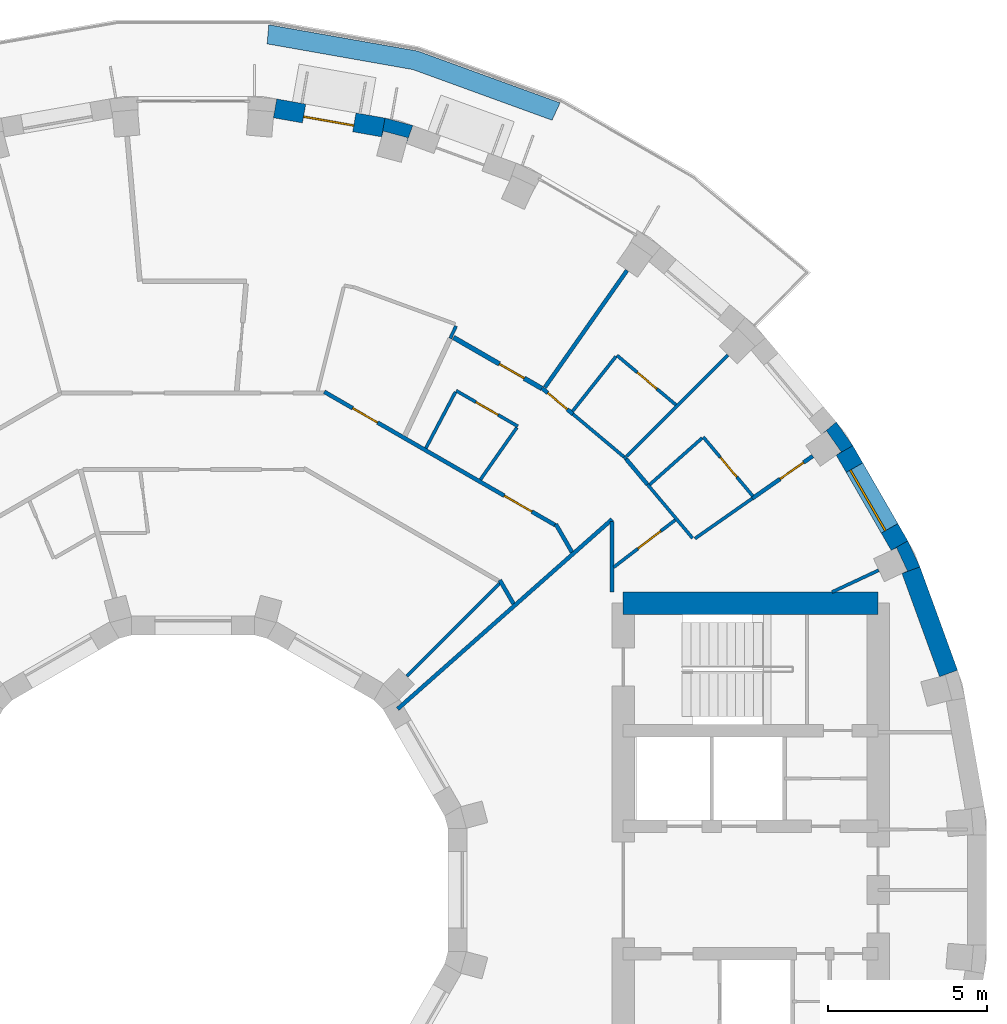
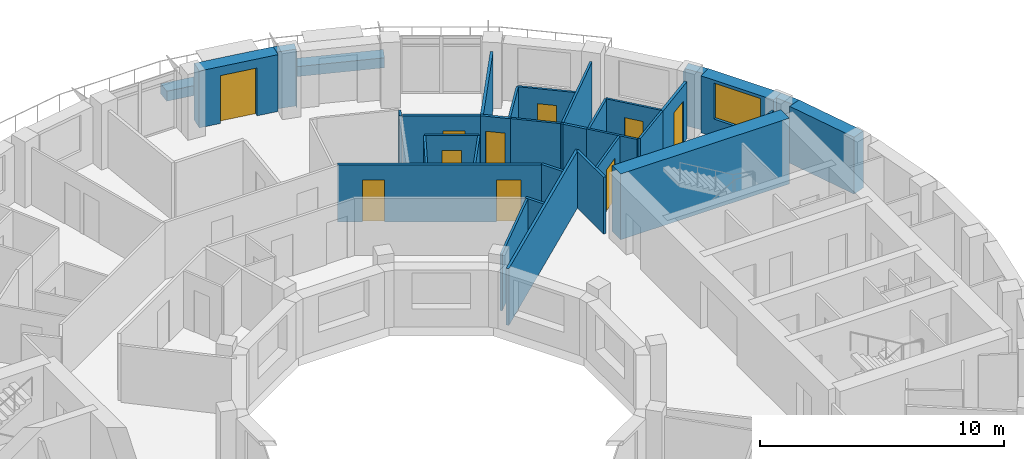
# One storey, part 11 of 13: 34 walls, 10 doors, 1 window, 11 openings.
"""IFC4 building model written with IfcOpenShell, lengths in metres."""

from ifc_helpers import new_model, si_unit, direction, frame, frame_2d, origin, place, context, subcontext, project, spatial, polyline, rectangle, outline, extrude, material, layer, layer_set, type_object, element, fill, save


model = new_model("IFC4")

# Units and contexts
model_context = context("Model", 3, precision=1e-05, world=origin(), true_north=direction((0.0, 1.0)))
body_context = subcontext(model_context, "Body", "Model", "MODEL_VIEW")
ifc_project = project(units=[si_unit("LENGTHUNIT", "METRE"), si_unit("AREAUNIT", "SQUARE_METRE"), si_unit("VOLUMEUNIT", "CUBIC_METRE"), si_unit("PLANEANGLEUNIT", "RADIAN"), si_unit("MASSUNIT", "GRAM", prefix="KILO")], contexts=[model_context])

# Site, building, storey
site_placement = place(None, origin())
site = spatial("IfcSite", under=ifc_project, at=site_placement, CompositionType="ELEMENT")
building_placement = place(site_placement, origin())
building = spatial("IfcBuilding", under=site, at=building_placement, Name="Saqina Gate Tower", CompositionType="ELEMENT")
storey_placement = place(building_placement, frame((0.0, 0.0, 203.699951171875)))
storey = spatial("IfcBuildingStorey", under=building, at=storey_placement, Name="L58", CompositionType="ELEMENT", Elevation=203.699951171875)

# Walls
ifc_material_1 = material(Name="Brick masonry (buff)", Category="masonry")
wall_type_1 = type_object("IfcWallType", Name="BRICK PIER COPING BUFF", PredefinedType="SOLIDWALL", material=ifc_material_1)
wall_1_placement = place(storey_placement, origin())
element("IfcWall", 1, at=wall_1_placement, inside=storey, type_object=wall_type_1, Name="Pier cap L58 column 3", PredefinedType="SOLIDWALL", context=body_context, shape_type="SweptSolid", body=[
    extrude(outline(polyline([(22.4306640625, 10.958740234375), (21.9111328125, 10.65869140625), (22.080810546875, 10.73779296875), (22.4189453125, 10.0126953125), (22.249267578125, 9.93359375), (22.81298828125, 10.138916015625), (22.4306640625, 10.958740234375)])), origin(), (0.0, 0.0, 1.0), 2.85009765625),
])
wall_2_placement = place(storey_placement, origin())
element("IfcWall", 2, at=wall_2_placement, inside=storey, type_object=wall_type_1, Name="Pier cap L58 column 4", PredefinedType="SOLIDWALL", context=body_context, shape_type="SweptSolid", body=[
    extrude(outline(polyline([(20.705810546875, 13.9462890625), (20.18701171875, 14.687255859375), (19.727294921875, 14.301513671875), (19.880859375, 14.408935546875), (20.339599609375, 13.753662109375), (20.186279296875, 13.646240234375), (20.705810546875, 13.9462890625)])), origin(), (0.0, 0.0, 1.0), 2.85009765625),
])
wall_3_placement = place(storey_placement, origin())
element("IfcWall", 3, at=wall_3_placement, inside=storey, type_object=wall_type_1, Name="Pier cap L58 column 8", PredefinedType="SOLIDWALL", context=body_context, shape_type="SweptSolid", body=[
    extrude(outline(polyline([(6.0234375, 24.22705078125), (5.919189453125, 23.635986328125), (5.967529296875, 23.81689453125), (6.740478515625, 23.610107421875), (6.69189453125, 23.428955078125), (6.897216796875, 23.992919921875), (6.0234375, 24.22705078125)])), origin(), (0.0, 0.0, 1.0), 2.85009765625),
])

# Wall, opening, window
ifc_material_2 = material(Name="Brick masonry (buff)", Category="masonry")
ifc_layer_1 = layer(ifc_material_2, 0.60009765625)
ifc_layer_set_1 = layer_set([ifc_layer_1], Name="FW-BRICK-BUFF")
wall_type_2 = type_object("IfcWallType", Name="FW-BRICK-BUFF", PredefinedType="SOLIDWALL", material=ifc_layer_set_1)
wall_4_placement = place(storey_placement, frame((22.1708984375, 10.80859375, 0.0), z_axis=(0.0, 0.0, 1.0), x_axis=(-0.499998129301, 0.86602648383, 0.0)))
wall_4 = element("IfcWall", 4, at=wall_4_placement, inside=storey, type_object=wall_type_2, Name="Facade wall L58 facet 3", PredefinedType="SOLIDWALL", context=body_context, shape_type="SweptSolid", body=[
    extrude(rectangle(XDim=3.44970703125, YDim=0.60009765625, at=frame_2d((1.724853515625, 0.0))), origin(), (0.0, 0.0, 1.0), 2.85009765625),
])
opening_1_placement = place(wall_4_placement, frame((0.625, 0.0, 0.89990234375)))
opening_1 = element("IfcOpeningElement", 5, at=opening_1_placement, cuts=wall_4, Name="Opening G17-W01", PredefinedType="OPENING", context=body_context, shape_type="SweptSolid", body=[
    extrude(rectangle(XDim=2.199951171875, YDim=1.800048828125, at=frame_2d((1.10009765625, 0.89990234375))), frame((0.0, 0.31201171875, 0.0), z_axis=(0.0, -1.0, 0.0), x_axis=(1.0, 0.0, 0.0)), (0.0, 0.0, 1.0), 0.6240234375),
])
ifc_material_3 = material(Name="Aluminium glazing", Category="aluminium")
window_type = type_object("IfcWindowType", Name="WN-C", PartitioningType="SINGLE_PANEL", PredefinedType="WINDOW", material=ifc_material_3)
window_placement = place(opening_1_placement, origin())
window = element("IfcWindow", 6, at=window_placement, inside=storey, type_object=window_type, Name="Window L58 facet 3", OverallHeight=1.800048828125, OverallWidth=2.199951171875, PartitioningType="SINGLE_PANEL", PredefinedType="WINDOW", context=body_context, shape_type="SweptSolid", body=[
    extrude(rectangle(XDim=2.199951171875, YDim=1.800048828125, at=frame_2d((1.10009765625, 0.89990234375))), frame((0.0, 0.179931640625, 0.0), z_axis=(0.0, -1.0, 0.0), x_axis=(1.0, 0.0, 0.0)), (0.0, 0.0, 1.0), 0.06005859375),
])
fill(opening_1, window)

# Wall, opening, door
wall_5_placement = place(storey_placement, frame((5.97119140625, 23.931640625, 0.0), z_axis=(0.0, 0.0, 1.0), x_axis=(-0.984814892183, 0.173607684551, 0.0)))
wall_5 = element("IfcWall", 7, at=wall_5_placement, inside=storey, type_object=wall_type_2, Name="Facade wall L58 facet 8", PredefinedType="SOLIDWALL", context=body_context, shape_type="SweptSolid", body=[
    extrude(rectangle(XDim=3.44970703125, YDim=0.60009765625, at=frame_2d((1.724853515625, 0.0))), origin(), (0.0, 0.0, 1.0), 2.85009765625),
])
opening_2_placement = place(wall_5_placement, frame((0.9248046875, 0.0, 0.0)))
opening_2 = element("IfcOpeningElement", 8, at=opening_2_placement, cuts=wall_5, Name="Opening G17-D81", PredefinedType="OPENING", context=body_context, shape_type="SweptSolid", body=[
    extrude(rectangle(XDim=1.60009765625, YDim=2.39990234375, at=frame_2d((0.800048828125, 1.199951171875))), frame((0.0, 0.31201171875, 0.0), z_axis=(0.0, -1.0, 0.0), x_axis=(1.0, 0.0, 0.0)), (0.0, 0.0, 1.0), 0.6240234375),
])
ifc_material_4 = material(Name="Aluminium glazing", Category="aluminium")
door_type_1 = type_object("IfcDoorType", Name="GD-C", OperationType="DOUBLE_DOOR_SINGLE_SWING", PredefinedType="DOOR", material=ifc_material_4)
door_1_placement = place(opening_2_placement, origin())
door_1 = element("IfcDoor", 9, at=door_1_placement, inside=storey, type_object=door_type_1, Name="Terrace door L58 facet 8", OperationType="DOUBLE_DOOR_SINGLE_SWING", OverallHeight=2.39990234375, OverallWidth=1.60009765625, PredefinedType="DOOR", context=body_context, shape_type="SweptSolid", body=[
    extrude(rectangle(XDim=1.60009765625, YDim=2.39990234375, at=frame_2d((0.800048828125, 1.199951171875))), frame((0.0, 0.125, 0.0), z_axis=(0.0, -1.0, 0.0), x_axis=(1.0, 0.0, 0.0)), (0.0, 0.0, 1.0), 0.050048828125),
])
fill(opening_2, door_1)

# Walls
ifc_material_5 = material(Name="Glazed ceramic tile (white)", Category="ceramic")
ifc_layer_2 = layer(ifc_material_5, 0.60009765625)
ifc_layer_set_2 = layer_set([ifc_layer_2], Name="FW-TILE-WH")
wall_type_3 = type_object("IfcWallType", Name="FW-TILE-WH", PredefinedType="SOLIDWALL", material=ifc_layer_set_2)
wall_6_placement = place(storey_placement, frame((23.7109375, 6.79443359375, 0.0), z_axis=(0.0, 0.0, 1.0), x_axis=(-0.342032843455, 0.93968799822, 0.0)))
element("IfcWall", 10, at=wall_6_placement, inside=storey, type_object=wall_type_3, Name="Facade wall L58 facet 2", PredefinedType="SOLIDWALL", context=body_context, shape_type="SweptSolid", body=[
    extrude(rectangle(XDim=3.44970703125, YDim=0.60009765625, at=frame_2d((1.724853515625, 0.0))), origin(), (0.0, 0.0, 1.0), 2.85009765625),
])
ifc_material_6 = material(Name="Gypsum board on steel studs, 100 mm", Category="steel")
ifc_layer_3 = layer(ifc_material_6, 0.10009765625)
ifc_layer_set_3 = layer_set([ifc_layer_3], Name="PARTITION 100")
wall_type_4 = type_object("IfcWallType", Name="PARTITION 100", PredefinedType="PARTITIONING", material=ifc_layer_set_3)
wall_7_placement = place(storey_placement, frame((13.5283203125, 13.599853515625, 0.0), z_axis=(0.0, 0.0, 1.0), x_axis=(0.643986628051, -0.765036746106, 0.0)))
element("IfcWall", 11, at=wall_7_placement, inside=storey, type_object=wall_type_4, Name="PARTITION PW3-17", PredefinedType="PARTITIONING", context=body_context, shape_type="SweptSolid", body=[
    extrude(rectangle(XDim=0.100830078125, YDim=0.10009765625, at=frame_2d((0.05029296875, 0.0))), origin(), (0.0, 0.0, 1.0), 2.85009765625),
])
wall_8_placement = place(storey_placement, frame((14.26123046875, 12.7275390625, 0.0), z_axis=(0.0, 0.0, 1.0), x_axis=(0.643254486379, -0.76565244449, 0.0)))
element("IfcWall", 12, at=wall_8_placement, inside=storey, type_object=wall_type_4, Name="PARTITION PW3-18", PredefinedType="PARTITIONING", context=body_context, shape_type="SweptSolid", body=[
    extrude(rectangle(XDim=2.2021484375, YDim=0.10009765625, at=frame_2d((1.10107421875, 0.0))), origin(), (0.0, 0.0, 1.0), 2.85009765625),
])

# Wall, opening, door
wall_9_placement = place(storey_placement, frame((16.012939453125, 14.216064453125, 0.0), z_axis=(0.0, 0.0, 1.0), x_axis=(0.642879705086, -0.765967156468, 0.0)))
wall_9 = element("IfcWall", 13, at=wall_9_placement, inside=storey, type_object=wall_type_4, Name="PARTITION PW3-19", PredefinedType="PARTITIONING", context=body_context, shape_type="SweptSolid", body=[
    extrude(rectangle(XDim=2.419921875, YDim=0.10009765625, at=frame_2d((1.2099609375, 0.0))), origin(), (0.0, 0.0, 1.0), 2.85009765625),
])
opening_3_placement = place(wall_9_placement, frame((0.835205078125, 0.0, 0.0)))
opening_3 = element("IfcOpeningElement", 14, at=opening_3_placement, cuts=wall_9, Name="Opening G17-D03", PredefinedType="OPENING", context=body_context, shape_type="SweptSolid", body=[
    extrude(rectangle(XDim=0.800048828125, YDim=2.10009765625, at=frame_2d((0.39990234375, 1.050048828125))), frame((0.0, 0.06201171875, 0.0), z_axis=(0.0, -1.0, 0.0), x_axis=(1.0, 0.0, 0.0)), (0.0, 0.0, 1.0), 0.1240234375),
])
ifc_material_7 = material(Name="Timber door leaf, 800 mm", Category="wood")
door_type_2 = type_object("IfcDoorType", Name="DOOR 800 TIMBER", OperationType="SINGLE_SWING_LEFT", PredefinedType="DOOR", material=ifc_material_7)
door_2_placement = place(opening_3_placement, origin())
door_2 = element("IfcDoor", 15, at=door_2_placement, inside=storey, type_object=door_type_2, Name="DOOR G17-D03", OperationType="SINGLE_SWING_RIGHT", OverallHeight=2.10009765625, OverallWidth=0.800048828125, PredefinedType="DOOR", context=body_context, shape_type="SweptSolid", body=[
    extrude(rectangle(XDim=0.800048828125, YDim=2.10009765625, at=frame_2d((0.39990234375, 1.050048828125))), frame((0.0, 0.02490234375, 0.0), z_axis=(0.0, -1.0, 0.0), x_axis=(1.0, 0.0, 0.0)), (0.0, 0.0, 1.0), 0.050048828125),
])
fill(opening_3, door_2)

# Wall
wall_10_placement = place(storey_placement, frame((11.919921875, 14.93798828125, 0.0), z_axis=(0.0, 0.0, 1.0), x_axis=(0.766132236748, -0.6426829668, 0.0)))
element("IfcWall", 16, at=wall_10_placement, inside=storey, type_object=wall_type_4, Name="PARTITION PW3-24", PredefinedType="PARTITIONING", context=body_context, shape_type="SweptSolid", body=[
    extrude(rectangle(XDim=2.09228515625, YDim=0.10009765625, at=frame_2d((1.046142578125, 0.0))), origin(), (0.0, 0.0, 1.0), 2.85009765625),
])

# Wall, opening, door
wall_11_placement = place(storey_placement, frame((13.301025390625, 16.781005859375, 0.0), z_axis=(0.0, 0.0, 1.0), x_axis=(0.765959173968, -0.642889215817, 0.0)))
wall_11 = element("IfcWall", 17, at=wall_11_placement, inside=storey, type_object=wall_type_4, Name="PARTITION PW3-25", PredefinedType="PARTITIONING", context=body_context, shape_type="SweptSolid", body=[
    extrude(rectangle(XDim=2.420166015625, YDim=0.10009765625, at=frame_2d((1.2099609375, 0.0))), origin(), (0.0, 0.0, 1.0), 2.85009765625),
])
opening_4_placement = place(wall_11_placement, frame((0.835205078125, 0.0, 0.0)))
opening_4 = element("IfcOpeningElement", 18, at=opening_4_placement, cuts=wall_11, Name="Opening G17-D04", PredefinedType="OPENING", context=body_context, shape_type="SweptSolid", body=[
    extrude(rectangle(XDim=0.800048828125, YDim=2.10009765625, at=frame_2d((0.39990234375, 1.050048828125))), frame((0.0, 0.06201171875, 0.0), z_axis=(0.0, -1.0, 0.0), x_axis=(1.0, 0.0, 0.0)), (0.0, 0.0, 1.0), 0.1240234375),
])
door_3_placement = place(opening_4_placement, origin())
door_3 = element("IfcDoor", 19, at=door_3_placement, inside=storey, type_object=door_type_2, Name="DOOR G17-D04", OperationType="SINGLE_SWING_RIGHT", OverallHeight=2.10009765625, OverallWidth=0.800048828125, PredefinedType="DOOR", context=body_context, shape_type="SweptSolid", body=[
    extrude(rectangle(XDim=0.800048828125, YDim=2.10009765625, at=frame_2d((0.39990234375, 1.050048828125))), frame((0.0, 0.02490234375, 0.0), z_axis=(0.0, -1.0, 0.0), x_axis=(1.0, 0.0, 0.0)), (0.0, 0.0, 1.0), 0.050048828125),
])
fill(opening_4, door_3)

wall_12_placement = place(storey_placement, frame((8.257080078125, 15.6708984375, 0.0), z_axis=(0.0, 0.0, 1.0), x_axis=(0.86593977979, -0.500148275791, 0.0)))
wall_12 = element("IfcWall", 20, at=wall_12_placement, inside=storey, type_object=wall_type_4, Name="PARTITION PW3-29", PredefinedType="PARTITIONING", context=body_context, shape_type="SweptSolid", body=[
    extrude(rectangle(XDim=2.233154296875, YDim=0.10009765625, at=frame_2d((1.11669921875, 0.0))), origin(), (0.0, 0.0, 1.0), 2.85009765625),
])
opening_5_placement = place(wall_12_placement, frame((0.716796875, 0.0, 0.0)))
opening_5 = element("IfcOpeningElement", 21, at=opening_5_placement, cuts=wall_12, Name="Opening G17-D08", PredefinedType="OPENING", context=body_context, shape_type="SweptSolid", body=[
    extrude(rectangle(XDim=0.800048828125, YDim=2.10009765625, at=frame_2d((0.39990234375, 1.050048828125))), frame((0.0, 0.06201171875, 0.0), z_axis=(0.0, -1.0, 0.0), x_axis=(1.0, 0.0, 0.0)), (0.0, 0.0, 1.0), 0.1240234375),
])
door_4_placement = place(opening_5_placement, origin())
door_4 = element("IfcDoor", 22, at=door_4_placement, inside=storey, type_object=door_type_2, Name="DOOR G17-D08", OperationType="SINGLE_SWING_RIGHT", OverallHeight=2.10009765625, OverallWidth=0.800048828125, PredefinedType="DOOR", context=body_context, shape_type="SweptSolid", body=[
    extrude(rectangle(XDim=0.800048828125, YDim=2.10009765625, at=frame_2d((0.39990234375, 1.050048828125))), frame((0.0, 0.02490234375, 0.0), z_axis=(0.0, -1.0, 0.0), x_axis=(1.0, 0.0, 0.0)), (0.0, 0.0, 1.0), 0.050048828125),
])
fill(opening_5, door_4)

# Walls
wall_13_placement = place(storey_placement, frame((20.052978515625, 9.35009765625, 0.0), z_axis=(0.0, 0.0, 1.0), x_axis=(0.906055596822, 0.423158664648, 0.0)))
element("IfcWall", 23, at=wall_13_placement, inside=storey, type_object=wall_type_4, Name="PARTITION PW3-41", PredefinedType="PARTITIONING", context=body_context, shape_type="SweptSolid", body=[
    extrude(rectangle(XDim=1.6142578125, YDim=0.10009765625, at=frame_2d((0.80712890625, 0.0))), origin(), (0.0, 0.0, 1.0), 2.85009765625),
])
wall_14_placement = place(storey_placement, frame((15.7509765625, 11.028564453125, 0.0), z_axis=(0.0, 0.0, 1.0), x_axis=(0.819158790137, 0.573566802161, 0.0)))
element("IfcWall", 24, at=wall_14_placement, inside=storey, type_object=wall_type_4, Name="PARTITION PW3-47", PredefinedType="PARTITIONING", context=body_context, shape_type="SweptSolid", body=[
    extrude(rectangle(XDim=2.196044921875, YDim=0.10009765625, at=frame_2d((1.09814453125, 0.0))), origin(), (0.0, 0.0, 1.0), 2.85009765625),
])

# Wall, opening, door
wall_15_placement = place(storey_placement, frame((13.200439453125, 10.12890625, 0.0), z_axis=(0.0, 0.0, 1.0), x_axis=(0.793343125349, 0.608774741149, 0.0)))
wall_15 = element("IfcWall", 25, at=wall_15_placement, inside=storey, type_object=wall_type_4, Name="PARTITION PW3-48", PredefinedType="PARTITIONING", context=body_context, shape_type="SweptSolid", body=[
    extrude(rectangle(XDim=2.433837890625, YDim=0.10009765625, at=frame_2d((1.216796875, 0.0))), origin(), (0.0, 0.0, 1.0), 2.85009765625),
])
opening_6_placement = place(wall_15_placement, frame((0.960693359375, 0.0, 0.0)))
opening_6 = element("IfcOpeningElement", 26, at=opening_6_placement, cuts=wall_15, Name="Opening G17-D02", PredefinedType="OPENING", context=body_context, shape_type="SweptSolid", body=[
    extrude(rectangle(XDim=0.89990234375, YDim=2.10009765625, at=frame_2d((0.449951171875, 1.050048828125))), frame((0.0, 0.06201171875, 0.0), z_axis=(0.0, -1.0, 0.0), x_axis=(1.0, 0.0, 0.0)), (0.0, 0.0, 1.0), 0.1240234375),
])
ifc_material_8 = material(Name="Timber door leaf, 900 mm", Category="wood")
door_type_3 = type_object("IfcDoorType", Name="DOOR 900 TIMBER", OperationType="SINGLE_SWING_LEFT", PredefinedType="DOOR", material=ifc_material_8)
door_5_placement = place(opening_6_placement, frame((0.89990234375, 0.0, 0.0), z_axis=(0.0, 0.0, 1.0), x_axis=(-1.0, 0.0, 0.0)))
door_5 = element("IfcDoor", 27, at=door_5_placement, inside=storey, type_object=door_type_3, Name="DOOR G17-D02", OperationType="SINGLE_SWING_LEFT", OverallHeight=2.10009765625, OverallWidth=0.89990234375, PredefinedType="DOOR", context=body_context, shape_type="SweptSolid", body=[
    extrude(rectangle(XDim=0.89990234375, YDim=2.10009765625, at=frame_2d((0.449951171875, 1.050048828125))), frame((0.0, 0.02490234375, 0.0), z_axis=(0.0, -1.0, 0.0), x_axis=(1.0, 0.0, 0.0)), (0.0, 0.0, 1.0), 0.050048828125),
])
fill(opening_6, door_5)

# Walls
wall_16_placement = place(storey_placement, frame((14.330322265625, 12.72216796875, 0.0), z_axis=(0.0, 0.0, 1.0), x_axis=(0.747807135499, 0.663916024883, 0.0)))
element("IfcWall", 28, at=wall_16_placement, inside=storey, type_object=wall_type_4, Name="PARTITION PW3-51", PredefinedType="PARTITIONING", context=body_context, shape_type="SweptSolid", body=[
    extrude(rectangle(XDim=2.2001953125, YDim=0.10009765625, at=frame_2d((1.10009765625, 0.0))), origin(), (0.0, 0.0, 1.0), 2.85009765625),
])
wall_17_placement = place(storey_placement, frame((6.7119140625, 6.7119140625, 0.0), z_axis=(0.0, 0.0, 1.0), x_axis=(0.707106781187, 0.707106781187, 0.0)))
element("IfcWall", 29, at=wall_17_placement, inside=storey, type_object=wall_type_4, Name="PARTITION PW3-52", PredefinedType="PARTITIONING", context=body_context, shape_type="SweptSolid", body=[
    extrude(rectangle(XDim=4.111083984375, YDim=0.10009765625, at=frame_2d((2.0556640625, 0.0))), origin(), (0.0, 0.0, 1.0), 2.85009765625),
])
wall_18_placement = place(storey_placement, frame((13.605224609375, 13.605224609375, 0.0), z_axis=(0.0, 0.0, 1.0), x_axis=(0.707106781187, 0.707106781187, 0.0)))
element("IfcWall", 30, at=wall_18_placement, inside=storey, type_object=wall_type_4, Name="PARTITION PW3-53", PredefinedType="PARTITIONING", context=body_context, shape_type="SweptSolid", body=[
    extrude(rectangle(XDim=4.499267578125, YDim=0.10009765625, at=frame_2d((2.24951171875, 0.0))), origin(), (0.0, 0.0, 1.0), 2.85009765625),
])
wall_19_placement = place(storey_placement, frame((11.910888671875, 15.027099609375, 0.0), z_axis=(0.0, 0.0, 1.0), x_axis=(0.621191557247, 0.783658758137, 0.0)))
element("IfcWall", 31, at=wall_19_placement, inside=storey, type_object=wall_type_4, Name="PARTITION PW3-54", PredefinedType="PARTITIONING", context=body_context, shape_type="SweptSolid", body=[
    extrude(rectangle(XDim=2.18798828125, YDim=0.10009765625, at=frame_2d((1.093994140625, 0.0))), origin(), (0.0, 0.0, 1.0), 2.85009765625),
])
wall_20_placement = place(storey_placement, frame((9.017822265625, 12.879150390625, 0.0), z_axis=(0.0, 0.0, 1.0), x_axis=(0.573758011137, 0.81902487426, 0.0)))
element("IfcWall", 32, at=wall_20_placement, inside=storey, type_object=wall_type_4, Name="PARTITION PW3-55", PredefinedType="PARTITIONING", context=body_context, shape_type="SweptSolid", body=[
    extrude(rectangle(XDim=1.994873046875, YDim=0.10009765625, at=frame_2d((0.99755859375, 0.0))), origin(), (0.0, 0.0, 1.0), 2.85009765625),
])
wall_21_placement = place(storey_placement, frame((7.30615234375, 13.8671875, 0.0), z_axis=(0.0, 0.0, 1.0), x_axis=(0.466307877011, 0.884622497926, 0.0)))
element("IfcWall", 33, at=wall_21_placement, inside=storey, type_object=wall_type_4, Name="PARTITION PW3-61", PredefinedType="PARTITIONING", context=body_context, shape_type="SweptSolid", body=[
    extrude(rectangle(XDim=1.989013671875, YDim=0.10009765625, at=frame_2d((0.99462890625, 0.0))), origin(), (0.0, 0.0, 1.0), 2.85009765625),
])
wall_22_placement = place(storey_placement, frame((8.072021484375, 17.313720703125, 0.0), z_axis=(0.0, 0.0, 1.0), x_axis=(0.424639138258, 0.905362691003, 0.0)))
element("IfcWall", 34, at=wall_22_placement, inside=storey, type_object=wall_type_4, Name="PARTITION PW3-62", PredefinedType="PARTITIONING", context=body_context, shape_type="SweptSolid", body=[
    extrude(rectangle(XDim=0.426513671875, YDim=0.10009765625, at=frame_2d((0.21337890625, 0.0))), origin(), (0.0, 0.0, 1.0), 2.85009765625),
])
ifc_material_9 = material(Name="Gypsum board on steel studs, 125 mm, fire rated", Category="steel")
ifc_layer_4 = layer(ifc_material_9, 0.125)
ifc_layer_set_4 = layer_set([ifc_layer_4], Name="PARTITION EI 30 125")
wall_type_5 = type_object("IfcWallType", Name="PARTITION EI 30 125", PredefinedType="PARTITIONING", material=ifc_layer_set_4)
wall_23_placement = place(storey_placement, frame((9.62548828125, 9.727783203125, 0.0), z_axis=(0.0, 0.0, 1.0), x_axis=(0.500456591983, -0.865761629746, 0.0)))
element("IfcWall", 35, at=wall_23_placement, inside=storey, type_object=wall_type_5, Name="PARTITION PW1-04", PredefinedType="PARTITIONING", context=body_context, shape_type="SweptSolid", body=[
    extrude(rectangle(XDim=0.863525390625, YDim=0.125, at=frame_2d((0.431640625, 0.0))), origin(), (0.0, 0.0, 1.0), 2.85009765625),
])
wall_24_placement = place(storey_placement, frame((11.3837890625, 11.482421875, 0.0), z_axis=(0.0, 0.0, 1.0), x_axis=(0.500249562609, -0.865881270792, 0.0)))
element("IfcWall", 36, at=wall_24_placement, inside=storey, type_object=wall_type_5, Name="PARTITION PW1-05", PredefinedType="PARTITIONING", context=body_context, shape_type="SweptSolid", body=[
    extrude(rectangle(XDim=1.015625, YDim=0.125, at=frame_2d((0.5078125, 0.0))), origin(), (0.0, 0.0, 1.0), 2.85009765625),
])
wall_25_placement = place(storey_placement, frame((13.59326171875, 13.522705078125, 0.0), z_axis=(0.0, 0.0, 1.0), x_axis=(0.642817053057, -0.766019736233, 0.0)))
element("IfcWall", 37, at=wall_25_placement, inside=storey, type_object=wall_type_5, Name="PARTITION PW1-06", PredefinedType="PARTITIONING", context=body_context, shape_type="SweptSolid", body=[
    extrude(rectangle(XDim=1.038330078125, YDim=0.125, at=frame_2d((0.51904296875, 0.0))), origin(), (0.0, 0.0, 1.0), 2.85009765625),
])

# Wall, opening, door
wall_26_placement = place(storey_placement, frame((10.951416015625, 15.750732421875, 0.0), z_axis=(0.0, 0.0, 1.0), x_axis=(0.76592162119, -0.642933954768, 0.0)))
wall_26 = element("IfcWall", 38, at=wall_26_placement, inside=storey, type_object=wall_type_5, Name="PARTITION PW1-12", PredefinedType="PARTITIONING", context=body_context, shape_type="SweptSolid", body=[
    extrude(rectangle(XDim=1.264404296875, YDim=0.125, at=frame_2d((0.63232421875, 0.0))), origin(), (0.0, 0.0, 1.0), 2.85009765625),
])
opening_7_placement = place(wall_26_placement, frame((0.232666015625, 0.0, 0.0)))
opening_7 = element("IfcOpeningElement", 39, at=opening_7_placement, cuts=wall_26, Name="Opening G17-D06", PredefinedType="OPENING", context=body_context, shape_type="SweptSolid", body=[
    extrude(rectangle(XDim=0.800048828125, YDim=2.10009765625, at=frame_2d((0.39990234375, 1.050048828125))), frame((0.0, 0.074462890625, 0.0), z_axis=(0.0, -1.0, 0.0), x_axis=(1.0, 0.0, 0.0)), (0.0, 0.0, 1.0), 0.14892578125),
])
ifc_material_10 = material(Name="Fire door leaf EI 30, 800 mm")
door_type_4 = type_object("IfcDoorType", Name="DOOR 800 EI 30", OperationType="SINGLE_SWING_LEFT", PredefinedType="DOOR", material=ifc_material_10)
door_6_placement = place(opening_7_placement, frame((0.800048828125, 0.0, 0.0), z_axis=(0.0, 0.0, 1.0), x_axis=(-1.0, 0.0, 0.0)))
door_6 = element("IfcDoor", 40, at=door_6_placement, inside=storey, type_object=door_type_4, Name="DOOR G17-D06", OperationType="SINGLE_SWING_RIGHT", OverallHeight=2.10009765625, OverallWidth=0.800048828125, PredefinedType="DOOR", context=body_context, shape_type="SweptSolid", body=[
    extrude(rectangle(XDim=0.800048828125, YDim=2.10009765625, at=frame_2d((0.39990234375, 1.050048828125))), frame((0.0, 0.02490234375, 0.0), z_axis=(0.0, -1.0, 0.0), x_axis=(1.0, 0.0, 0.0)), (0.0, 0.0, 1.0), 0.050048828125),
])
fill(opening_7, door_6)

# Wall, openings, doors
wall_27_placement = place(storey_placement, frame((4.117431640625, 15.635986328125, 0.0), z_axis=(0.0, 0.0, 1.0), x_axis=(0.866032091518, -0.499988416326, 0.0)))
wall_27 = element("IfcWall", 41, at=wall_27_placement, inside=storey, type_object=wall_type_5, Name="PARTITION PW1-18", PredefinedType="PARTITIONING", context=body_context, shape_type="SweptSolid", body=[
    extrude(rectangle(XDim=8.369873046875, YDim=0.125, at=frame_2d((4.18505859375, 0.0))), origin(), (0.0, 0.0, 1.0), 2.85009765625),
])
opening_8_placement = place(wall_27_placement, frame((6.5244140625, 0.0, 0.0)))
opening_8 = element("IfcOpeningElement", 42, at=opening_8_placement, cuts=wall_27, Name="Opening G17-D05", PredefinedType="OPENING", context=body_context, shape_type="SweptSolid", body=[
    extrude(rectangle(XDim=1.0, YDim=2.10009765625, at=frame_2d((0.5, 1.050048828125))), frame((0.0, 0.074462890625, 0.0), z_axis=(0.0, -1.0, 0.0), x_axis=(1.0, 0.0, 0.0)), (0.0, 0.0, 1.0), 0.14892578125),
])
opening_9_placement = place(wall_27_placement, frame((1.02978515625, 0.0, 0.0)))
opening_9 = element("IfcOpeningElement", 43, at=opening_9_placement, cuts=wall_27, Name="Opening G17-D09", PredefinedType="OPENING", context=body_context, shape_type="SweptSolid", body=[
    extrude(rectangle(XDim=0.89990234375, YDim=2.10009765625, at=frame_2d((0.449951171875, 1.050048828125))), frame((0.0, 0.074462890625, 0.0), z_axis=(0.0, -1.0, 0.0), x_axis=(1.0, 0.0, 0.0)), (0.0, 0.0, 1.0), 0.14892578125),
])
ifc_material_11 = material(Name="Fire door leaf EI 30, 1000 mm")
door_type_5 = type_object("IfcDoorType", Name="DOOR 1000 EI 30", OperationType="SINGLE_SWING_LEFT", PredefinedType="DOOR", material=ifc_material_11)
door_7_placement = place(opening_8_placement, origin())
door_7 = element("IfcDoor", 44, at=door_7_placement, inside=storey, type_object=door_type_5, Name="DOOR G17-D05", OperationType="SINGLE_SWING_RIGHT", OverallHeight=2.10009765625, OverallWidth=1.0, PredefinedType="DOOR", context=body_context, shape_type="SweptSolid", body=[
    extrude(rectangle(XDim=1.0, YDim=2.10009765625, at=frame_2d((0.5, 1.050048828125))), frame((0.0, 0.02490234375, 0.0), z_axis=(0.0, -1.0, 0.0), x_axis=(1.0, 0.0, 0.0)), (0.0, 0.0, 1.0), 0.050048828125),
])
fill(opening_8, door_7)
ifc_material_12 = material(Name="Fire door leaf EI 30, 900 mm")
door_type_6 = type_object("IfcDoorType", Name="DOOR 900 EI 30", OperationType="SINGLE_SWING_LEFT", PredefinedType="DOOR", material=ifc_material_12)
door_8_placement = place(opening_9_placement, origin())
door_8 = element("IfcDoor", 45, at=door_8_placement, inside=storey, type_object=door_type_6, Name="DOOR G17-D09", OperationType="SINGLE_SWING_LEFT", OverallHeight=2.10009765625, OverallWidth=0.89990234375, PredefinedType="DOOR", context=body_context, shape_type="SweptSolid", body=[
    extrude(rectangle(XDim=0.89990234375, YDim=2.10009765625, at=frame_2d((0.449951171875, 1.050048828125))), frame((0.0, 0.02490234375, 0.0), z_axis=(0.0, -1.0, 0.0), x_axis=(1.0, 0.0, 0.0)), (0.0, 0.0, 1.0), 0.050048828125),
])
fill(opening_9, door_8)

# Wall, opening, door
wall_28_placement = place(storey_placement, frame((17.5498046875, 12.2880859375, 0.0), z_axis=(0.0, 0.0, 1.0), x_axis=(0.818914823112, 0.573915074282, 0.0)))
wall_28 = element("IfcWall", 46, at=wall_28_placement, inside=storey, type_object=wall_type_5, Name="PARTITION PW1-33", PredefinedType="PARTITIONING", context=body_context, shape_type="SweptSolid", body=[
    extrude(rectangle(XDim=2.31591796875, YDim=0.125, at=frame_2d((1.157958984375, 0.0))), origin(), (0.0, 0.0, 1.0), 2.85009765625),
])
opening_10_placement = place(wall_28_placement, frame((1.06787109375, 0.0, 0.0)))
opening_10 = element("IfcOpeningElement", 47, at=opening_10_placement, cuts=wall_28, Name="Opening G17-D01", PredefinedType="OPENING", context=body_context, shape_type="SweptSolid", body=[
    extrude(rectangle(XDim=0.89990234375, YDim=2.10009765625, at=frame_2d((0.449951171875, 1.050048828125))), frame((0.0, 0.074462890625, 0.0), z_axis=(0.0, -1.0, 0.0), x_axis=(1.0, 0.0, 0.0)), (0.0, 0.0, 1.0), 0.14892578125),
])
door_9_placement = place(opening_10_placement, frame((0.89990234375, 0.0, 0.0), z_axis=(0.0, 0.0, 1.0), x_axis=(-1.0, 0.0, 0.0)))
door_9 = element("IfcDoor", 48, at=door_9_placement, inside=storey, type_object=door_type_6, Name="DOOR G17-D01", OperationType="SINGLE_SWING_LEFT", OverallHeight=2.10009765625, OverallWidth=0.89990234375, PredefinedType="DOOR", context=body_context, shape_type="SweptSolid", body=[
    extrude(rectangle(XDim=0.89990234375, YDim=2.10009765625, at=frame_2d((0.449951171875, 1.050048828125))), frame((0.0, 0.02490234375, 0.0), z_axis=(0.0, -1.0, 0.0), x_axis=(1.0, 0.0, 0.0)), (0.0, 0.0, 1.0), 0.050048828125),
])
fill(opening_10, door_9)

# Walls
wall_29_placement = place(storey_placement, frame((6.419921875, 5.679931640625, 0.0), z_axis=(0.0, 0.0, 1.0), x_axis=(0.748960259926, 0.662614917619, 0.0)))
element("IfcWall", 49, at=wall_29_placement, inside=storey, type_object=wall_type_5, Name="PARTITION PW1-38", PredefinedType="PARTITIONING", context=body_context, shape_type="SweptSolid", body=[
    extrude(rectangle(XDim=8.98583984375, YDim=0.125, at=frame_2d((4.492919921875, 0.0))), origin(), (0.0, 0.0, 1.0), 2.85009765625),
])
wall_30_placement = place(storey_placement, frame((11.0419921875, 15.776611328125, 0.0), z_axis=(0.0, 0.0, 1.0), x_axis=(0.574967193178, 0.818176464321, 0.0)))
element("IfcWall", 50, at=wall_30_placement, inside=storey, type_object=wall_type_5, Name="PARTITION PW1-39", PredefinedType="PARTITIONING", context=body_context, shape_type="SweptSolid", body=[
    extrude(rectangle(XDim=4.483154296875, YDim=0.125, at=frame_2d((2.24169921875, 0.0))), origin(), (0.0, 0.0, 1.0), 2.85009765625),
])
wall_31_placement = place(storey_placement, frame((13.14990234375, 9.35107421875, 0.0), z_axis=(0.0, 0.0, 1.0), x_axis=(0.0, 1.0, 0.0)))
element("IfcWall", 51, at=wall_31_placement, inside=storey, type_object=wall_type_5, Name="PARTITION PW1-47", PredefinedType="PARTITIONING", context=body_context, shape_type="SweptSolid", body=[
    extrude(rectangle(XDim=2.220458984375, YDim=0.125, at=frame_2d((1.1103515625, 0.0))), origin(), (0.0, 0.0, 1.0), 2.85009765625),
])

# Wall, opening, door
ifc_material_13 = material(Name="Gypsum board on steel studs, 150 mm, fire rated", Category="steel")
ifc_layer_5 = layer(ifc_material_13, 0.14990234375)
ifc_layer_set_5 = layer_set([ifc_layer_5], Name="PARTITION EI 60 150")
wall_type_6 = type_object("IfcWallType", Name="PARTITION EI 60 150", PredefinedType="PARTITIONING", material=ifc_layer_set_5)
wall_32_placement = place(storey_placement, frame((8.171875, 17.34228515625, 0.0), z_axis=(0.0, 0.0, 1.0), x_axis=(0.866086584464, -0.499894016979, 0.0)))
wall_32 = element("IfcWall", 52, at=wall_32_placement, inside=storey, type_object=wall_type_6, Name="PARTITION PW2-03", PredefinedType="PARTITIONING", context=body_context, shape_type="SweptSolid", body=[
    extrude(rectangle(XDim=3.202880859375, YDim=0.14990234375, at=frame_2d((1.6015625, 0.0))), origin(), (0.0, 0.0, 1.0), 2.85009765625),
])
opening_11_placement = place(wall_32_placement, frame((1.663818359375, 0.0, 0.0)))
opening_11 = element("IfcOpeningElement", 53, at=opening_11_placement, cuts=wall_32, Name="Opening G17-D07", PredefinedType="OPENING", context=body_context, shape_type="SweptSolid", body=[
    extrude(rectangle(XDim=0.89990234375, YDim=2.10009765625, at=frame_2d((0.449951171875, 1.050048828125))), frame((0.0, 0.0869140625, 0.0), z_axis=(0.0, -1.0, 0.0), x_axis=(1.0, 0.0, 0.0)), (0.0, 0.0, 1.0), 0.173828125),
])
door_10_placement = place(opening_11_placement, origin())
door_10 = element("IfcDoor", 54, at=door_10_placement, inside=storey, type_object=door_type_6, Name="DOOR G17-D07", OperationType="SINGLE_SWING_RIGHT", OverallHeight=2.10009765625, OverallWidth=0.89990234375, PredefinedType="DOOR", context=body_context, shape_type="SweptSolid", body=[
    extrude(rectangle(XDim=0.89990234375, YDim=2.10009765625, at=frame_2d((0.449951171875, 1.050048828125))), frame((0.0, 0.02490234375, 0.0), z_axis=(0.0, -1.0, 0.0), x_axis=(1.0, 0.0, 0.0)), (0.0, 0.0, 1.0), 0.050048828125),
])
fill(opening_11, door_10)

# Walls
ifc_material_14 = material(Name="Brick masonry (red)", Category="masonry")
ifc_layer_6 = layer(ifc_material_14, 0.60009765625)
ifc_layer_set_6 = layer_set([ifc_layer_6], Name="PL-PLANTER")
wall_type_7 = type_object("IfcWallType", Name="PL-PLANTER", PredefinedType="PARAPET", material=ifc_layer_set_6)
wall_33_placement = place(storey_placement, origin())
element("IfcWall", 55, at=wall_33_placement, inside=storey, type_object=wall_type_7, Name="Planter L58", PredefinedType="PARAPET", context=body_context, shape_type="SweptSolid", body=[
    extrude(outline(polyline([(11.52001953125, 24.70458984375), (7.054931640625, 26.329833984375), (2.375732421875, 27.15478515625), (2.3232421875, 26.554931640625), (6.899169921875, 25.748046875), (11.265380859375, 24.15869140625), (11.52001953125, 24.70458984375)])), origin(), (0.0, 0.0, 1.0), 0.5),
])
ifc_material_15 = material(Name="Concrete C60/75", Category="concrete")
ifc_layer_7 = layer(ifc_material_15, 0.699951171875)
ifc_layer_set_7 = layer_set([ifc_layer_7], Name="Concrete C60/75")
wall_type_8 = type_object("IfcWallType", Name="STR-CORE WALL-C-O", PredefinedType="SHEAR", material=ifc_layer_set_7)
wall_34_placement = place(storey_placement, frame((13.5, 9.0, 0.0), z_axis=(0.0, 0.0, 1.0), x_axis=(1.0, 0.0, 0.0)))
element("IfcWall", 56, at=wall_34_placement, inside=storey, type_object=wall_type_8, Name="CORE WALL L58 E-NE", PredefinedType="SHEAR", context=body_context, shape_type="SweptSolid", body=[
    extrude(rectangle(XDim=8.0, YDim=0.699951171875, at=frame_2d((4.0, 0.0))), origin(), (0.0, 0.0, 1.0), 3.300048828125),
])

save(model, "model.ifc")
